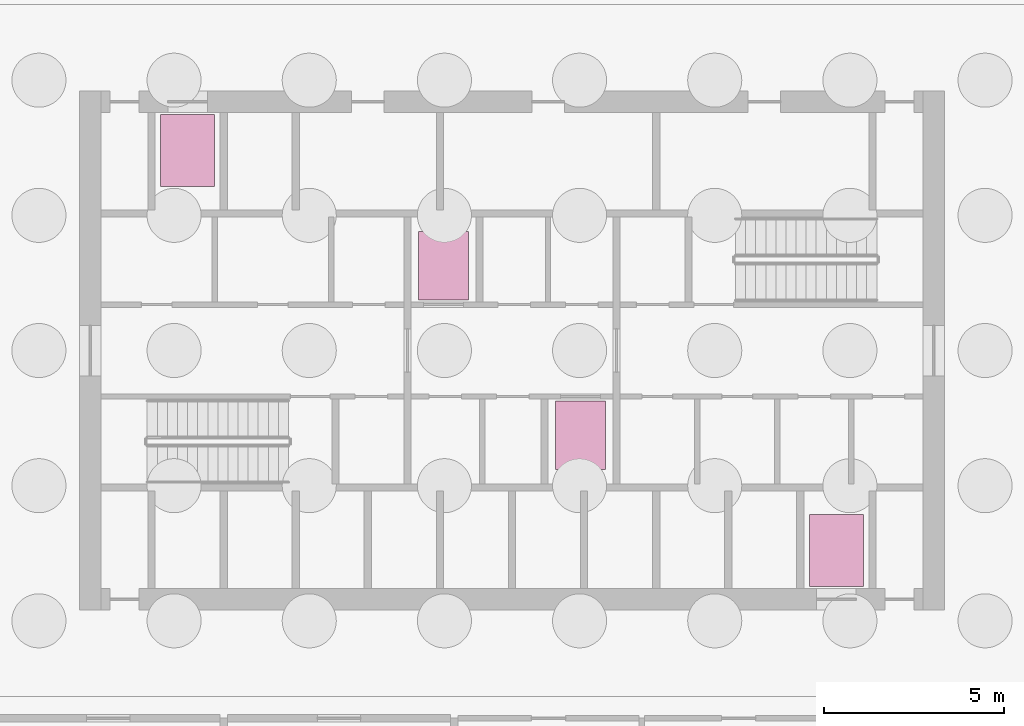
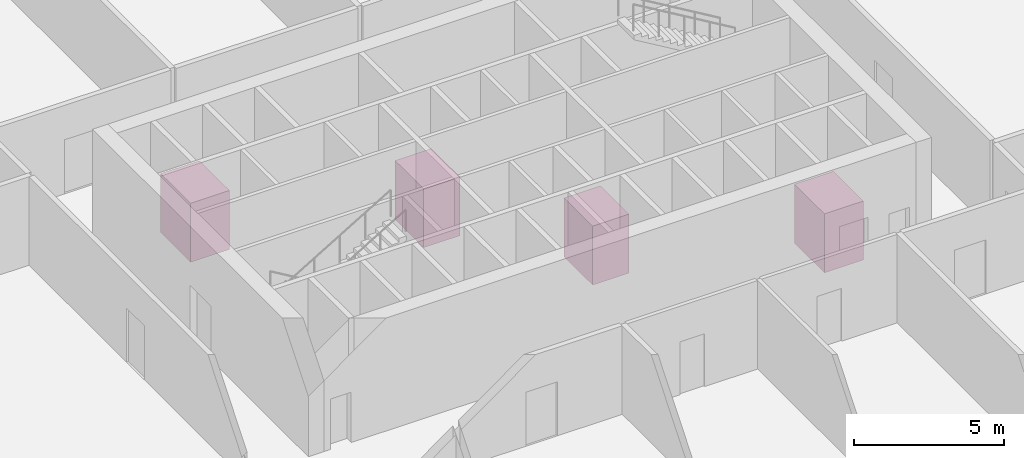
# One storey, part 7 of 7: 4 transport elements.
"""IFC4 building model written with IfcOpenShell, lengths in metres."""

from ifc_helpers import new_model, si_unit, direction, frame, origin, origin_2d, place, context, subcontext, project, spatial, rectangle, extrude, material, type_object, element, save


model = new_model("IFC4")

# Units and contexts
model_context = context("Model", 3, precision=1e-05, world=origin(), true_north=direction((0.0, 1.0)))
body_context = subcontext(model_context, "Body", "Model", "MODEL_VIEW")
ifc_project = project(units=[si_unit("LENGTHUNIT", "METRE"), si_unit("AREAUNIT", "SQUARE_METRE"), si_unit("VOLUMEUNIT", "CUBIC_METRE"), si_unit("PLANEANGLEUNIT", "RADIAN"), si_unit("MASSUNIT", "GRAM", prefix="KILO")], contexts=[model_context])

# Site, building, storey
site_placement = place(None, origin())
site = spatial("IfcSite", under=ifc_project, at=site_placement, CompositionType="ELEMENT")
building_placement = place(site_placement, origin())
building = spatial("IfcBuilding", under=site, at=building_placement, Name="Siaravel Broadcast Tower", CompositionType="ELEMENT")
storey_placement = place(building_placement, frame((0.0, 0.0, -5.0)))
storey = spatial("IfcBuildingStorey", under=building, at=storey_placement, Name="B1", CompositionType="ELEMENT", Elevation=-5.0)

# Transport elements
ifc_material = material(Name="Stainless steel 316L", Category="steel")
transport_element_type_1 = type_object("IfcTransportElementType", Name="Firefighting lift", PredefinedType="ELEVATOR", material=ifc_material)
for number, where, z_axis, x_axis, name in (
    (1, (-1.89990234375, 2.35009765625, 0.0), (0.0, 0.0, 1.0), (1.0, 0.0, 0.0), "Firefighting lift FL1"),
    (2, (1.89990234375, -2.35009765625, 0.0), (0.0, 0.0, 1.0), (1.0, 0.0, 0.0), "Firefighting lift FL2"),
):
    element("IfcTransportElement", number, at=place(storey_placement, frame(where, z_axis=z_axis, x_axis=x_axis)), inside=storey, type_object=transport_element_type_1, Name=name, PredefinedType="ELEVATOR", context=body_context, shape_type="SweptSolid", body=[
        extrude(rectangle(XDim=1.39990234375, YDim=1.89990234375, at=origin_2d()), origin(), (0.0, 0.0, 1.0), 2.39990234375),
    ])
transport_element_type_2 = type_object("IfcTransportElementType", Name="Service lift", PredefinedType="ELEVATOR", material=ifc_material)
for number, where, z_axis, x_axis, name in (
    (3, (9.0, -5.550048828125, 0.0), (0.0, 0.0, 1.0), (1.0, 0.0, 0.0), "Service lift SV1"),
    (4, (-9.0, 5.550048828125, 0.0), (0.0, 0.0, 1.0), (1.0, 0.0, 0.0), "Service lift SV2"),
):
    element("IfcTransportElement", number, at=place(storey_placement, frame(where, z_axis=z_axis, x_axis=x_axis)), inside=storey, type_object=transport_element_type_2, Name=name, PredefinedType="ELEVATOR", context=body_context, shape_type="SweptSolid", body=[
        extrude(rectangle(XDim=1.5, YDim=2.0, at=origin_2d()), origin(), (0.0, 0.0, 1.0), 2.39990234375),
    ])

save(model, "model.ifc")
